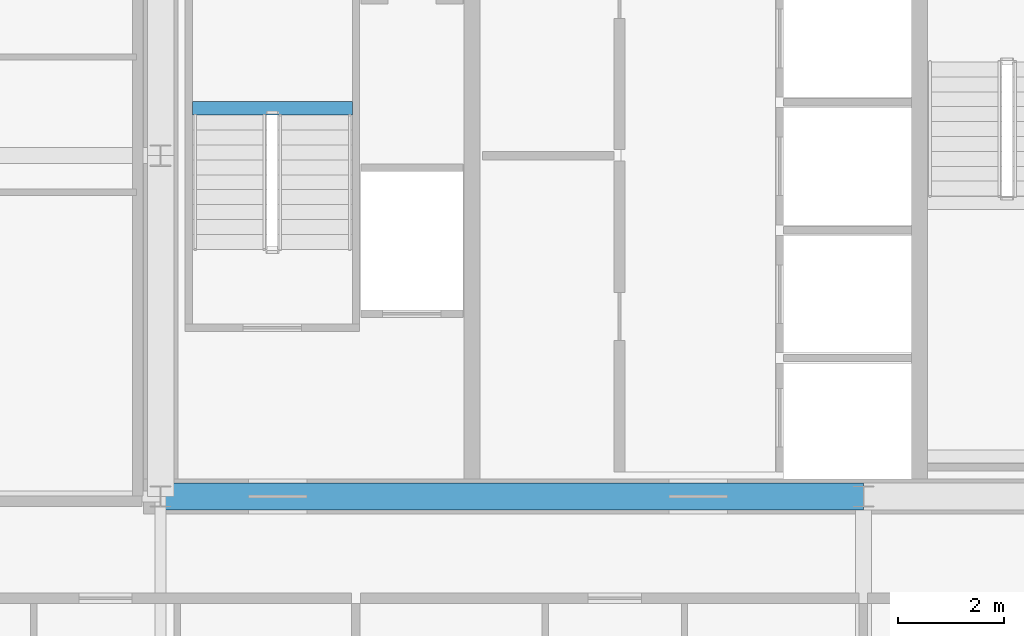
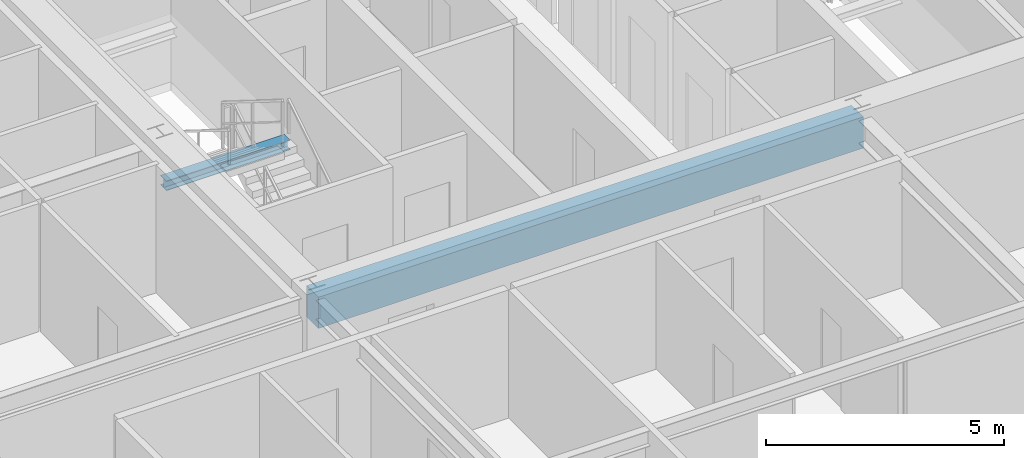
# One storey, part 13 of 38: 2 beams.
"""IFC4 building model written with IfcOpenShell, lengths in metres."""

from ifc_helpers import new_model, si_unit, direction, frame, origin, origin_2d, place, context, subcontext, project, spatial, rectangle, i_section, extrude, source, transform, mapped, material, material_profile, profile_set, type_object, element, save


model = new_model("IFC4")

# Units and contexts
model_context = context("Model", 3, precision=1e-05, world=origin(), true_north=direction((0.0, 1.0)))
body_context = subcontext(model_context, "Body", "Model", "MODEL_VIEW")
ifc_project = project(units=[si_unit("LENGTHUNIT", "METRE"), si_unit("AREAUNIT", "SQUARE_METRE"), si_unit("VOLUMEUNIT", "CUBIC_METRE"), si_unit("PLANEANGLEUNIT", "RADIAN"), si_unit("MASSUNIT", "GRAM", prefix="KILO"), si_unit("THERMODYNAMICTEMPERATUREUNIT", "KELVIN"), si_unit("POWERUNIT", "WATT")], contexts=[model_context])

# Site, building, storey
site_placement = place(None, origin())
site = spatial("IfcSite", under=ifc_project, at=site_placement, CompositionType="ELEMENT")
building_placement = place(site_placement, origin())
building = spatial("IfcBuilding", under=site, at=building_placement, Name="Yuzanri Waterfront Tower", CompositionType="ELEMENT")
storey_placement = place(building_placement, frame((0.0, 0.0, 181.0)))
storey = spatial("IfcBuildingStorey", under=building, at=storey_placement, Name="L47", CompositionType="ELEMENT", Elevation=181.0)

# Beams
ifc_material_1 = material(Name="Concrete C50", Category="concrete")
ifc_material_profile_1 = material_profile(ifc_material_1, rectangle(XDim=0.5, YDim=0.800048828125, at=origin_2d()), Name="RC 500x800")
ifc_profile_set_1 = profile_set([ifc_material_profile_1], Name="Concrete C50")
beam_type_1 = type_object("IfcBeamType", Name="Core Coupling Lintel Concrete C50 500x800", PredefinedType="LINTEL", material=ifc_profile_set_1)
shared_shape_1 = source(origin(), body_context, "Body", "SweptSolid", [
    extrude(rectangle(XDim=0.5, YDim=0.800048828125, at=origin_2d()), origin(), (0.0, 0.0, 1.0), 13.199951171875),
])
beam_1_placement = place(storey_placement, frame((23.800048828125, 19.39990234375, 2.8798828125), z_axis=(1.0, 0.0, 0.0), x_axis=(0.0, 1.0, 0.0)))
element("IfcBeam", 1, at=beam_1_placement, inside=storey, type_object=beam_type_1, Name="L47 Core Tie Beam CS1", PredefinedType="LINTEL", context=body_context, shape_type="MappedRepresentation", body=[
    mapped(shared_shape_1, transform((0.0, 0.0, 0.0), scale=1.0)),
])
ifc_material_2 = material(Name="Steel Q355B", Category="steel")
ifc_material_profile_2 = material_profile(ifc_material_2, i_section(OverallWidth=0.25, OverallDepth=0.25, WebThickness=0.009033203125, FlangeThickness=0.013916015625, at=origin_2d()), Name="HW 250x250x9x14")
ifc_profile_set_2 = profile_set([ifc_material_profile_2], Name="Steel Q355B")
beam_type_2 = type_object("IfcBeamType", Name="Stair Landing Support Beam Q355B HW 250x250", PredefinedType="BEAM", material=ifc_profile_set_2)
shared_shape_2 = source(origin(), body_context, "Body", "SweptSolid", [
    extrude(i_section(OverallWidth=0.25, OverallDepth=0.25, WebThickness=0.009033203125, FlangeThickness=0.013916015625, at=origin_2d()), origin(), (0.0, 0.0, 1.0), 3.0),
])
beam_2_placement = place(storey_placement, frame((24.39990234375, 26.68994140625, 1.425048828125), z_axis=(1.0, 0.0, 0.0), x_axis=(0.0, 1.0, 0.0)))
element("IfcBeam", 2, at=beam_2_placement, inside=storey, type_object=beam_type_2, Name="L47 Stair Landing Support Beam ST-01-L47-L1-1", PredefinedType="BEAM", context=body_context, shape_type="MappedRepresentation", body=[
    mapped(shared_shape_2, transform((0.0, 0.0, 0.0), scale=1.0)),
])

save(model, "model.ifc")
